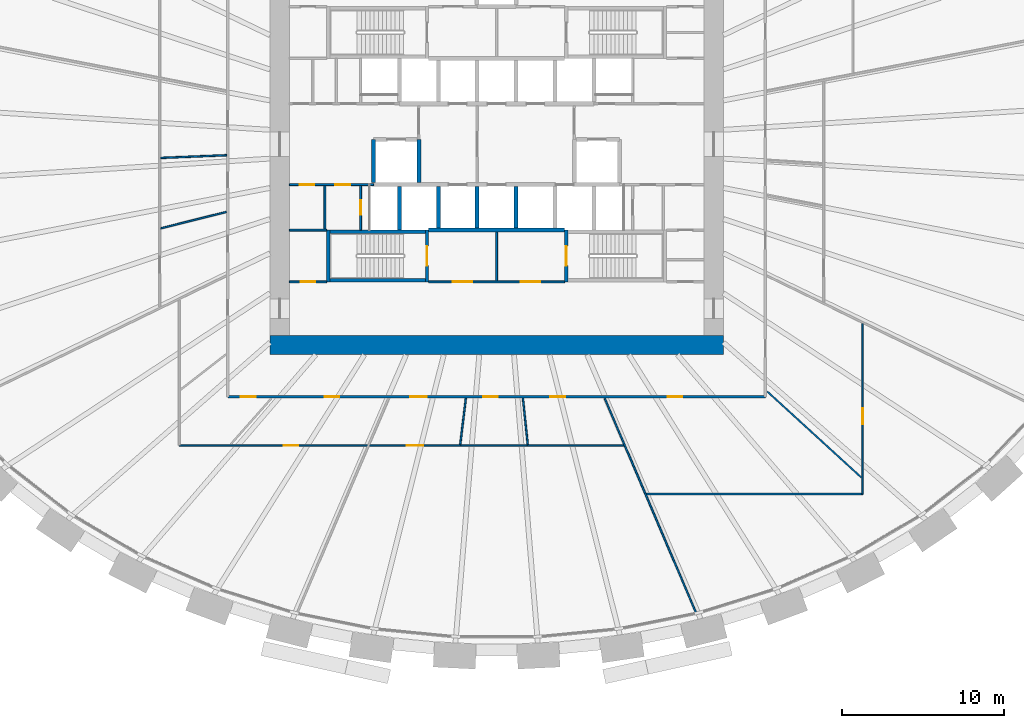
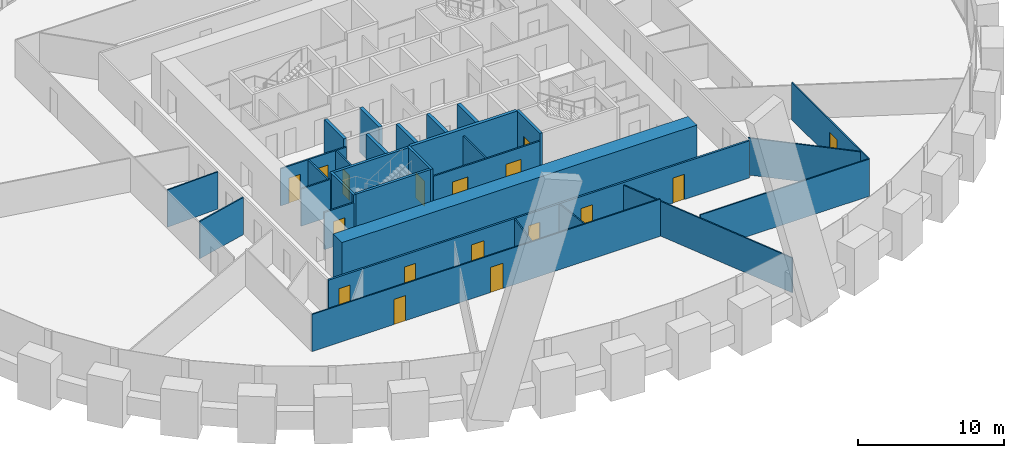
# One storey, part 6 of 11: 30 walls, 17 doors, 17 openings.
"""IFC4 building model written with IfcOpenShell, lengths in metres."""

from ifc_helpers import new_model, si_unit, direction, frame, frame_2d, origin, place, context, subcontext, project, spatial, rectangle, extrude, source, transform, mapped, material, layer, layer_set, type_object, element, fill, save


model = new_model("IFC4")

# Units and contexts
model_context = context("Model", 3, precision=1e-05, world=origin(), true_north=direction((0.0, 1.0)))
body_context = subcontext(model_context, "Body", "Model", "MODEL_VIEW")
ifc_project = project(units=[si_unit("LENGTHUNIT", "METRE"), si_unit("AREAUNIT", "SQUARE_METRE"), si_unit("VOLUMEUNIT", "CUBIC_METRE"), si_unit("PLANEANGLEUNIT", "RADIAN"), si_unit("MASSUNIT", "GRAM", prefix="KILO")], contexts=[model_context])

# Site, building, storey
site_placement = place(None, origin())
site = spatial("IfcSite", under=ifc_project, at=site_placement, CompositionType="ELEMENT")
building_placement = place(site_placement, origin())
building = spatial("IfcBuilding", under=site, at=building_placement, Name="Embergate Tower", CompositionType="ELEMENT")
storey_placement = place(building_placement, frame((0.0, 0.0, 73.699951171875)))
storey = spatial("IfcBuildingStorey", under=building, at=storey_placement, Name="L14", CompositionType="ELEMENT", Elevation=73.699951171875)

# Walls
ifc_material_1 = material(Name="Concrete C80", Category="concrete")
ifc_layer_1 = layer(ifc_material_1, 1.199951171875)
ifc_layer_set_1 = layer_set([ifc_layer_1], Name="Concrete C80")
wall_type_1 = type_object("IfcWallType", Name="Core outer wall C80 1200", PredefinedType="SHEAR", material=ifc_layer_set_1)
shared_shape_1 = source(origin(), body_context, "Body", "SweptSolid", [
    extrude(rectangle(XDim=28.0, YDim=1.199951171875, at=frame_2d((14.0, 0.0))), origin(), (0.0, 0.0, 1.0), 3.89990234375),
])
wall_1_placement = place(storey_placement, frame((-14.0, -12.39990234375, -0.199951171875), z_axis=(0.0, 0.0, 1.0), x_axis=(1.0, 0.0, 0.0)))
element("IfcWall", 1, at=wall_1_placement, inside=storey, type_object=wall_type_1, Name="CW-L14-S", PredefinedType="SHEAR", context=body_context, shape_type="MappedRepresentation", body=[
    mapped(shared_shape_1, transform((0.0, 0.0, 0.0))),
])
ifc_material_2 = material(Name="Concrete C50", Category="concrete")
ifc_layer_2 = layer(ifc_material_2, 0.25)
ifc_layer_set_2 = layer_set([ifc_layer_2], Name="Concrete C50")
wall_type_2 = type_object("IfcWallType", Name="Hoistway wall reinforced concrete 250", PredefinedType="SHEAR", material=ifc_layer_set_2)
shared_shape_2 = source(origin(), body_context, "Body", "SweptSolid", [
    extrude(rectangle(XDim=2.675048828125, YDim=0.25, at=frame_2d((1.33740234375, 0.0))), origin(), (0.0, 0.0, 1.0), 3.699951171875),
])
for number, where, z_axis, x_axis, name in (
    (2, (-6.0, -5.300048828125, 0.0), (0.0, 0.0, 1.0), (0.0, 1.0, 0.0), "HW-1 wall"),
    (3, (-4.800048828125, 0.300048828125, 0.0), (0.0, 0.0, 1.0), (0.0, -1.0, 0.0), "HW-1 wall"),
    (4, (-7.60009765625, 0.300048828125, 0.0), (0.0, 0.0, 1.0), (0.0, -1.0, 0.0), "HW-1 wall"),
):
    element("IfcWall", number, at=place(storey_placement, frame(where, z_axis=z_axis, x_axis=x_axis)), inside=storey, type_object=wall_type_2, Name=name, PredefinedType="SHEAR", context=body_context, shape_type="MappedRepresentation", body=[
        mapped(shared_shape_2, transform((0.0, 0.0, 0.0))),
    ])
ifc_layer_3 = layer(ifc_material_2, 0.199951171875)
ifc_layer_set_3 = layer_set([ifc_layer_3], Name="Concrete C50")
wall_type_3 = type_object("IfcWallType", Name="Stair enclosure wall reinforced concrete 250", PredefinedType="SHEAR", material=ifc_layer_set_3)
shared_shape_3 = source(origin(), body_context, "Body", "SweptSolid", [
    extrude(rectangle(XDim=6.300048828125, YDim=0.199951171875, at=frame_2d((3.14990234375, 0.0))), origin(), (0.0, 0.0, 1.0), 3.699951171875),
])
for number, where, z_axis, x_axis, name in (
    (5, (-10.5, -5.39990234375, 0.0), (0.0, 0.0, 1.0), (1.0, 0.0, 0.0), "SE-1 wall"),
    (6, (-10.5, -8.39990234375, 0.0), (0.0, 0.0, 1.0), (1.0, 0.0, 0.0), "SE-1 wall"),
):
    element("IfcWall", number, at=place(storey_placement, frame(where, z_axis=z_axis, x_axis=x_axis)), inside=storey, type_object=wall_type_3, Name=name, PredefinedType="SHEAR", context=body_context, shape_type="MappedRepresentation", body=[
        mapped(shared_shape_3, transform((0.0, 0.0, 0.0))),
    ])

# Wall, opening, door
ifc_material_3 = material(Name="Core partition blockwork 120")
ifc_layer_4 = layer(ifc_material_3, 0.1201171875)
ifc_layer_set_4 = layer_set([ifc_layer_4], Name="Core partition blockwork 120")
wall_type_4 = type_object("IfcWallType", Name="Core partition blockwork 120", PredefinedType="PARTITIONING", material=ifc_layer_set_4)
shared_shape_4 = source(origin(), body_context, "Body", "SweptSolid", [
    extrude(rectangle(XDim=2.739990234375, YDim=0.1201171875, at=frame_2d((1.3701171875, 0.0))), origin(), (0.0, 0.0, 1.0), 3.10009765625),
])
wall_2_placement = place(storey_placement, frame((-8.39990234375, -2.56005859375, 0.0), z_axis=(0.0, 0.0, 1.0), x_axis=(0.0, -1.0, 0.0)))
wall_2 = element("IfcWall", 7, at=wall_2_placement, inside=storey, type_object=wall_type_4, Name="IP-3 wall", PredefinedType="PARTITIONING", context=body_context, shape_type="MappedRepresentation", body=[
    mapped(shared_shape_4, transform((0.0, 0.0, 0.0))),
])
shared_shape_5 = source(origin(), body_context, "Body", "SweptSolid", [
    extrude(rectangle(XDim=0.89990234375, YDim=2.10009765625, at=frame_2d((0.449951171875, 1.050048828125))), frame((0.0, 0.070068359375, 0.0), z_axis=(0.0, -1.0, 0.0), x_axis=(1.0, 0.0, 0.0)), (0.0, 0.0, 1.0), 0.14013671875),
])
opening_1_placement = place(wall_2_placement, frame((0.889892578125, 0.0, 0.0)))
opening_1 = element("IfcOpeningElement", 8, at=opening_1_placement, cuts=wall_2, Name="Opening ID-1", PredefinedType="OPENING", context=body_context, shape_type="MappedRepresentation", body=[
    mapped(shared_shape_5, transform((0.0, 0.0, 0.0))),
])
ifc_material_4 = material(Name="Interior door 900")
door_type_1 = type_object("IfcDoorType", Name="Interior door 900", OperationType="SINGLE_SWING_LEFT", PredefinedType="DOOR", material=ifc_material_4)
shared_shape_6 = source(origin(), body_context, "Body", "SweptSolid", [
    extrude(rectangle(XDim=0.89990234375, YDim=2.10009765625, at=frame_2d((0.449951171875, 1.050048828125))), frame((0.0, 0.02490234375, 0.0), z_axis=(0.0, -1.0, 0.0), x_axis=(1.0, 0.0, 0.0)), (0.0, 0.0, 1.0), 0.050048828125),
])
door_1_placement = place(opening_1_placement, origin())
door_1 = element("IfcDoor", 9, at=door_1_placement, inside=storey, type_object=door_type_1, Name="ID-1 door", OperationType="SINGLE_SWING_LEFT", OverallHeight=2.10009765625, OverallWidth=0.89990234375, PredefinedType="DOOR", context=body_context, shape_type="MappedRepresentation", body=[
    mapped(shared_shape_6, transform((0.0, 0.0, 0.0))),
])
fill(opening_1, door_1)

# Walls
shared_shape_7 = source(origin(), body_context, "Body", "SweptSolid", [
    extrude(rectangle(XDim=2.550048828125, YDim=0.25, at=frame_2d((1.27490234375, 0.0))), origin(), (0.0, 0.0, 1.0), 3.699951171875),
])
for number, where, z_axis, x_axis, name in (
    (10, (-3.60009765625, -5.175048828125, 0.0), (0.0, 0.0, 1.0), (0.0, 1.0, 0.0), "HW-1 wall"),
    (11, (-1.199951171875, -5.175048828125, 0.0), (0.0, 0.0, 1.0), (0.0, 1.0, 0.0), "HW-1 wall"),
    (12, (1.199951171875, -5.175048828125, 0.0), (0.0, 0.0, 1.0), (0.0, 1.0, 0.0), "HW-1 wall"),
):
    element("IfcWall", number, at=place(storey_placement, frame(where, z_axis=z_axis, x_axis=x_axis)), inside=storey, type_object=wall_type_2, Name=name, PredefinedType="SHEAR", context=body_context, shape_type="MappedRepresentation", body=[
        mapped(shared_shape_7, transform((0.0, 0.0, 0.0))),
    ])
shared_shape_8 = source(origin(), body_context, "Body", "SweptSolid", [
    extrude(rectangle(XDim=8.39990234375, YDim=0.25, at=frame_2d((4.199951171875, 0.0))), origin(), (0.0, 0.0, 1.0), 3.699951171875),
])
wall_3_placement = place(storey_placement, frame((-4.199951171875, -5.300048828125, 0.0), z_axis=(0.0, 0.0, 1.0), x_axis=(1.0, 0.0, 0.0)))
element("IfcWall", 13, at=wall_3_placement, inside=storey, type_object=wall_type_2, Name="HW-1 wall", PredefinedType="SHEAR", context=body_context, shape_type="MappedRepresentation", body=[
    mapped(shared_shape_8, transform((0.0, 0.0, 0.0))),
])

# Wall, openings, doors
shared_shape_9 = source(origin(), body_context, "Body", "SweptSolid", [
    extrude(rectangle(XDim=5.199951171875, YDim=0.1201171875, at=frame_2d((2.60009765625, 0.0))), origin(), (0.0, 0.0, 1.0), 3.10009765625),
])
wall_4_placement = place(storey_placement, frame((-7.60009765625, -2.5, 0.0), z_axis=(0.0, 0.0, 1.0), x_axis=(-1.0, 0.0, 0.0)))
wall_4 = element("IfcWall", 14, at=wall_4_placement, inside=storey, type_object=wall_type_4, Name="IP-3 wall", PredefinedType="PARTITIONING", context=body_context, shape_type="MappedRepresentation", body=[
    mapped(shared_shape_9, transform((0.0, 0.0, 0.0))),
])
opening_2_placement = place(wall_4_placement, frame((3.64990234375, 0.0, 0.0)))
opening_2 = element("IfcOpeningElement", 15, at=opening_2_placement, cuts=wall_4, Name="Opening ID-1", PredefinedType="OPENING", context=body_context, shape_type="MappedRepresentation", body=[
    mapped(shared_shape_5, transform((0.0, 0.0, 0.0))),
])
opening_3_placement = place(wall_4_placement, frame((1.449951171875, 0.0, 0.0)))
opening_3 = element("IfcOpeningElement", 16, at=opening_3_placement, cuts=wall_4, Name="Opening ID-1", PredefinedType="OPENING", context=body_context, shape_type="MappedRepresentation", body=[
    mapped(shared_shape_5, transform((0.0, 0.0, 0.0))),
])
door_2_placement = place(opening_2_placement, origin())
door_2 = element("IfcDoor", 17, at=door_2_placement, inside=storey, type_object=door_type_1, Name="ID-1 door", OperationType="SINGLE_SWING_LEFT", OverallHeight=2.10009765625, OverallWidth=0.89990234375, PredefinedType="DOOR", context=body_context, shape_type="MappedRepresentation", body=[
    mapped(shared_shape_6, transform((0.0, 0.0, 0.0))),
])
fill(opening_2, door_2)
door_3_placement = place(opening_3_placement, origin())
door_3 = element("IfcDoor", 18, at=door_3_placement, inside=storey, type_object=door_type_1, Name="ID-1 door", OperationType="SINGLE_SWING_LEFT", OverallHeight=2.10009765625, OverallWidth=0.89990234375, PredefinedType="DOOR", context=body_context, shape_type="MappedRepresentation", body=[
    mapped(shared_shape_6, transform((0.0, 0.0, 0.0))),
])
fill(opening_3, door_3)

# Wall, opening, door
shared_shape_10 = source(origin(), body_context, "Body", "SweptSolid", [
    extrude(rectangle(XDim=3.199951171875, YDim=0.199951171875, at=frame_2d((1.60009765625, 0.0))), origin(), (0.0, 0.0, 1.0), 3.699951171875),
])
wall_5_placement = place(storey_placement, frame((-4.300048828125, -8.5, 0.0), z_axis=(0.0, 0.0, 1.0), x_axis=(0.0, 1.0, 0.0)))
wall_5 = element("IfcWall", 19, at=wall_5_placement, inside=storey, type_object=wall_type_3, Name="SE-1 wall", PredefinedType="SHEAR", context=body_context, shape_type="MappedRepresentation", body=[
    mapped(shared_shape_10, transform((0.0, 0.0, 0.0))),
])
shared_shape_11 = source(origin(), body_context, "Body", "SweptSolid", [
    extrude(rectangle(XDim=1.199951171875, YDim=2.10009765625, at=frame_2d((0.60009765625, 1.050048828125))), frame((0.0, 0.10986328125, 0.0), z_axis=(0.0, -1.0, 0.0), x_axis=(1.0, 0.0, 0.0)), (0.0, 0.0, 1.0), 0.219970703125),
])
opening_4_placement = place(wall_5_placement, frame((1.0, 0.0, 0.0)))
opening_4 = element("IfcOpeningElement", 20, at=opening_4_placement, cuts=wall_5, Name="Opening IF-2", PredefinedType="OPENING", context=body_context, shape_type="MappedRepresentation", body=[
    mapped(shared_shape_11, transform((0.0, 0.0, 0.0))),
])
ifc_material_5 = material(Name="Stair enclosure door 1200")
door_type_2 = type_object("IfcDoorType", Name="Stair enclosure door 1200", OperationType="SINGLE_SWING_LEFT", PredefinedType="DOOR", material=ifc_material_5)
shared_shape_12 = source(origin(), body_context, "Body", "SweptSolid", [
    extrude(rectangle(XDim=1.199951171875, YDim=2.10009765625, at=frame_2d((0.60009765625, 1.050048828125))), frame((0.0, 0.02490234375, 0.0), z_axis=(0.0, -1.0, 0.0), x_axis=(1.0, 0.0, 0.0)), (0.0, 0.0, 1.0), 0.050048828125),
])
door_4_placement = place(opening_4_placement, origin())
door_4 = element("IfcDoor", 21, at=door_4_placement, inside=storey, type_object=door_type_2, Name="IF-2 door", OperationType="SINGLE_SWING_LEFT", OverallHeight=2.10009765625, OverallWidth=1.199951171875, PredefinedType="DOOR", context=body_context, shape_type="MappedRepresentation", body=[
    mapped(shared_shape_12, transform((0.0, 0.0, 0.0))),
])
fill(opening_4, door_4)

# Wall
wall_6_placement = place(storey_placement, frame((-10.39990234375, -5.300048828125, 0.0), z_axis=(0.0, 0.0, 1.0), x_axis=(0.0, -1.0, 0.0)))
element("IfcWall", 22, at=wall_6_placement, inside=storey, type_object=wall_type_3, Name="SE-1 wall", PredefinedType="SHEAR", context=body_context, shape_type="MappedRepresentation", body=[
    mapped(shared_shape_10, transform((0.0, 0.0, 0.0))),
])

# Wall, opening, door
wall_7_placement = place(storey_placement, frame((4.300048828125, -5.300048828125, 0.0), z_axis=(0.0, 0.0, 1.0), x_axis=(0.0, -1.0, 0.0)))
wall_7 = element("IfcWall", 23, at=wall_7_placement, inside=storey, type_object=wall_type_3, Name="SE-1 wall", PredefinedType="SHEAR", context=body_context, shape_type="MappedRepresentation", body=[
    mapped(shared_shape_10, transform((0.0, 0.0, 0.0))),
])
opening_5_placement = place(wall_7_placement, frame((1.0, 0.0, 0.0)))
opening_5 = element("IfcOpeningElement", 24, at=opening_5_placement, cuts=wall_7, Name="Opening IF-2", PredefinedType="OPENING", context=body_context, shape_type="MappedRepresentation", body=[
    mapped(shared_shape_11, transform((0.0, 0.0, 0.0))),
])
door_5_placement = place(opening_5_placement, origin())
door_5 = element("IfcDoor", 25, at=door_5_placement, inside=storey, type_object=door_type_2, Name="IF-2 door", OperationType="SINGLE_SWING_RIGHT", OverallHeight=2.10009765625, OverallWidth=1.199951171875, PredefinedType="DOOR", context=body_context, shape_type="MappedRepresentation", body=[
    mapped(shared_shape_12, transform((0.0, 0.0, 0.0))),
])
fill(opening_5, door_5)

# Wall
shared_shape_13 = source(origin(), body_context, "Body", "SweptSolid", [
    extrude(rectangle(XDim=3.014892578125, YDim=0.1201171875, at=frame_2d((1.50732421875, 0.0))), origin(), (0.0, 0.0, 1.0), 3.10009765625),
])
wall_8_placement = place(storey_placement, frame((0.0, -8.43994140625, 0.0), z_axis=(0.0, 0.0, 1.0), x_axis=(0.0, 1.0, 0.0)))
element("IfcWall", 26, at=wall_8_placement, inside=storey, type_object=wall_type_4, Name="IP-3 wall", PredefinedType="PARTITIONING", context=body_context, shape_type="MappedRepresentation", body=[
    mapped(shared_shape_13, transform((0.0, 0.0, 0.0))),
])

# Wall, openings, doors
shared_shape_14 = source(origin(), body_context, "Body", "SweptSolid", [
    extrude(rectangle(XDim=8.39990234375, YDim=0.1201171875, at=frame_2d((4.199951171875, 0.0))), origin(), (0.0, 0.0, 1.0), 3.10009765625),
])
wall_9_placement = place(storey_placement, frame((-4.199951171875, -8.5, 0.0), z_axis=(0.0, 0.0, 1.0), x_axis=(1.0, 0.0, 0.0)))
wall_9 = element("IfcWall", 27, at=wall_9_placement, inside=storey, type_object=wall_type_4, Name="IP-3 wall", PredefinedType="PARTITIONING", context=body_context, shape_type="MappedRepresentation", body=[
    mapped(shared_shape_14, transform((0.0, 0.0, 0.0))),
])
shared_shape_15 = source(origin(), body_context, "Body", "SweptSolid", [
    extrude(rectangle(XDim=1.199951171875, YDim=2.10009765625, at=frame_2d((0.60009765625, 1.050048828125))), frame((0.0, 0.070068359375, 0.0), z_axis=(0.0, -1.0, 0.0), x_axis=(1.0, 0.0, 0.0)), (0.0, 0.0, 1.0), 0.14013671875),
])
opening_6_placement = place(wall_9_placement, frame((1.5, 0.0, 0.0)))
opening_6 = element("IfcOpeningElement", 28, at=opening_6_placement, cuts=wall_9, Name="Opening IF-3f", PredefinedType="OPENING", context=body_context, shape_type="MappedRepresentation", body=[
    mapped(shared_shape_15, transform((0.0, 0.0, 0.0))),
])
opening_7_placement = place(wall_9_placement, frame((5.699951171875, 0.0, 0.0)))
opening_7 = element("IfcOpeningElement", 29, at=opening_7_placement, cuts=wall_9, Name="Opening IF-3f", PredefinedType="OPENING", context=body_context, shape_type="MappedRepresentation", body=[
    mapped(shared_shape_15, transform((0.0, 0.0, 0.0))),
])
ifc_material_6 = material(Name="Lobby fire door pair 1200")
door_type_3 = type_object("IfcDoorType", Name="Lobby fire door pair 1200", OperationType="DOUBLE_DOOR_SINGLE_SWING", PredefinedType="DOOR", material=ifc_material_6)
door_6_placement = place(opening_6_placement, origin())
door_6 = element("IfcDoor", 30, at=door_6_placement, inside=storey, type_object=door_type_3, Name="IF-3 door", OperationType="DOUBLE_DOOR_SINGLE_SWING", OverallHeight=2.10009765625, OverallWidth=1.199951171875, PredefinedType="DOOR", context=body_context, shape_type="MappedRepresentation", body=[
    mapped(shared_shape_12, transform((0.0, 0.0, 0.0))),
])
fill(opening_6, door_6)
door_7_placement = place(opening_7_placement, origin())
door_7 = element("IfcDoor", 31, at=door_7_placement, inside=storey, type_object=door_type_3, Name="IF-3 door", OperationType="DOUBLE_DOOR_SINGLE_SWING", OverallHeight=2.10009765625, OverallWidth=1.199951171875, PredefinedType="DOOR", context=body_context, shape_type="MappedRepresentation", body=[
    mapped(shared_shape_12, transform((0.0, 0.0, 0.0))),
])
fill(opening_7, door_7)

# Wall, opening, door
shared_shape_16 = source(origin(), body_context, "Body", "SweptSolid", [
    extrude(rectangle(XDim=2.300048828125, YDim=0.1201171875, at=frame_2d((1.14990234375, 0.0))), origin(), (0.0, 0.0, 1.0), 3.10009765625),
])
wall_10_placement = place(storey_placement, frame((-10.5, -8.5, 0.0), z_axis=(0.0, 0.0, 1.0), x_axis=(-1.0, 0.0, 0.0)))
wall_10 = element("IfcWall", 32, at=wall_10_placement, inside=storey, type_object=wall_type_4, Name="IP-3 wall", PredefinedType="PARTITIONING", context=body_context, shape_type="MappedRepresentation", body=[
    mapped(shared_shape_16, transform((0.0, 0.0, 0.0))),
])
opening_8_placement = place(wall_10_placement, frame((0.699951171875, 0.0, 0.0)))
opening_8 = element("IfcOpeningElement", 33, at=opening_8_placement, cuts=wall_10, Name="Opening ID-1", PredefinedType="OPENING", context=body_context, shape_type="MappedRepresentation", body=[
    mapped(shared_shape_5, transform((0.0, 0.0, 0.0))),
])
door_8_placement = place(opening_8_placement, origin())
door_8 = element("IfcDoor", 34, at=door_8_placement, inside=storey, type_object=door_type_1, Name="ID-1 door", OperationType="SINGLE_SWING_RIGHT", OverallHeight=2.10009765625, OverallWidth=0.89990234375, PredefinedType="DOOR", context=body_context, shape_type="MappedRepresentation", body=[
    mapped(shared_shape_6, transform((0.0, 0.0, 0.0))),
])
fill(opening_8, door_8)

# Walls
wall_11_placement = place(storey_placement, frame((-12.800048828125, -5.300048828125, 0.0), z_axis=(0.0, 0.0, 1.0), x_axis=(1.0, 0.0, 0.0)))
element("IfcWall", 35, at=wall_11_placement, inside=storey, type_object=wall_type_4, Name="IP-3 wall", PredefinedType="PARTITIONING", context=body_context, shape_type="MappedRepresentation", body=[
    mapped(shared_shape_16, transform((0.0, 0.0, 0.0))),
])
shared_shape_17 = source(origin(), body_context, "Body", "SweptSolid", [
    extrude(rectangle(XDim=2.679931640625, YDim=0.1201171875, at=frame_2d((1.33984375, 0.0))), origin(), (0.0, 0.0, 1.0), 3.10009765625),
])
wall_12_placement = place(storey_placement, frame((-10.60009765625, -5.239990234375, 0.0), z_axis=(0.0, 0.0, 1.0), x_axis=(0.0, 1.0, 0.0)))
element("IfcWall", 36, at=wall_12_placement, inside=storey, type_object=wall_type_4, Name="IP-3 wall", PredefinedType="PARTITIONING", context=body_context, shape_type="MappedRepresentation", body=[
    mapped(shared_shape_17, transform((0.0, 0.0, 0.0))),
])

# Wall, openings, doors
ifc_material_7 = material(Name="Corridor wall dry-lined 150 wet")
ifc_layer_5 = layer(ifc_material_7, 0.14990234375)
ifc_layer_set_5 = layer_set([ifc_layer_5], Name="Corridor wall dry-lined 150 wet")
wall_type_5 = type_object("IfcWallType", Name="Corridor wall dry-lined 150 wet", PredefinedType="PLUMBINGWALL", material=ifc_layer_set_5)
shared_shape_18 = source(origin(), body_context, "Body", "SweptSolid", [
    extrude(rectangle(XDim=33.2001953125, YDim=0.14990234375, at=frame_2d((16.60009765625, 0.0))), origin(), (0.0, 0.0, 1.0), 3.10009765625),
])
wall_13_placement = place(storey_placement, frame((16.60009765625, -15.60009765625, 0.0), z_axis=(0.0, 0.0, 1.0), x_axis=(-1.0, 0.0, 0.0)))
wall_13 = element("IfcWall", 37, at=wall_13_placement, inside=storey, type_object=wall_type_5, Name="IP-2 wall", PredefinedType="PLUMBINGWALL", context=body_context, shape_type="MappedRepresentation", body=[
    mapped(shared_shape_18, transform((0.0, 0.0, 0.0))),
])
shared_shape_19 = source(origin(), body_context, "Body", "SweptSolid", [
    extrude(rectangle(XDim=0.89990234375, YDim=2.10009765625, at=frame_2d((0.449951171875, 1.050048828125))), frame((0.0, 0.0849609375, 0.0), z_axis=(0.0, -1.0, 0.0), x_axis=(1.0, 0.0, 0.0)), (0.0, 0.0, 1.0), 0.169921875),
])
opening_9_placement = place(wall_13_placement, frame((31.489990234375, 0.0, 0.0)))
opening_9 = element("IfcOpeningElement", 38, at=opening_9_placement, cuts=wall_13, Name="Opening IF-1c", PredefinedType="OPENING", context=body_context, shape_type="MappedRepresentation", body=[
    mapped(shared_shape_19, transform((0.0, 0.0, 0.0))),
])
opening_10_placement = place(wall_13_placement, frame((26.323974609375, 0.0, 0.0)))
opening_10 = element("IfcOpeningElement", 39, at=opening_10_placement, cuts=wall_13, Name="Opening IF-1c", PredefinedType="OPENING", context=body_context, shape_type="MappedRepresentation", body=[
    mapped(shared_shape_19, transform((0.0, 0.0, 0.0))),
])
shared_shape_20 = source(origin(), body_context, "Body", "SweptSolid", [
    extrude(rectangle(XDim=1.0, YDim=2.10009765625, at=frame_2d((0.5, 1.050048828125))), frame((0.0, 0.0849609375, 0.0), z_axis=(0.0, -1.0, 0.0), x_axis=(1.0, 0.0, 0.0)), (0.0, 0.0, 1.0), 0.169921875),
])
opening_11_placement = place(wall_13_placement, frame((20.929931640625, 0.0, 0.0)))
opening_11 = element("IfcOpeningElement", 40, at=opening_11_placement, cuts=wall_13, Name="Opening ID-2", PredefinedType="OPENING", context=body_context, shape_type="MappedRepresentation", body=[
    mapped(shared_shape_20, transform((0.0, 0.0, 0.0))),
])
opening_12_placement = place(wall_13_placement, frame((16.528076171875, 0.0, 0.0)))
opening_12 = element("IfcOpeningElement", 41, at=opening_12_placement, cuts=wall_13, Name="Opening IF-1c", PredefinedType="OPENING", context=body_context, shape_type="MappedRepresentation", body=[
    mapped(shared_shape_19, transform((0.0, 0.0, 0.0))),
])
opening_13_placement = place(wall_13_placement, frame((12.3759765625, 0.0, 0.0)))
opening_13 = element("IfcOpeningElement", 42, at=opening_13_placement, cuts=wall_13, Name="Opening IF-1c", PredefinedType="OPENING", context=body_context, shape_type="MappedRepresentation", body=[
    mapped(shared_shape_19, transform((0.0, 0.0, 0.0))),
])
opening_14_placement = place(wall_13_placement, frame((5.1240234375, 0.0, 0.0)))
opening_14 = element("IfcOpeningElement", 43, at=opening_14_placement, cuts=wall_13, Name="Opening IF-1c", PredefinedType="OPENING", context=body_context, shape_type="MappedRepresentation", body=[
    mapped(shared_shape_19, transform((0.0, 0.0, 0.0))),
])
ifc_material_8 = material(Name="Escape fire door 900")
door_type_4 = type_object("IfcDoorType", Name="Escape fire door 900", OperationType="SINGLE_SWING_LEFT", PredefinedType="DOOR", material=ifc_material_8)
door_9_placement = place(opening_9_placement, origin())
door_9 = element("IfcDoor", 44, at=door_9_placement, inside=storey, type_object=door_type_4, Name="IF-1 door", OperationType="SINGLE_SWING_LEFT", OverallHeight=2.10009765625, OverallWidth=0.89990234375, PredefinedType="DOOR", context=body_context, shape_type="MappedRepresentation", body=[
    mapped(shared_shape_6, transform((0.0, 0.0, 0.0))),
])
fill(opening_9, door_9)
door_10_placement = place(opening_10_placement, origin())
door_10 = element("IfcDoor", 45, at=door_10_placement, inside=storey, type_object=door_type_4, Name="IF-1 door", OperationType="SINGLE_SWING_RIGHT", OverallHeight=2.10009765625, OverallWidth=0.89990234375, PredefinedType="DOOR", context=body_context, shape_type="MappedRepresentation", body=[
    mapped(shared_shape_6, transform((0.0, 0.0, 0.0))),
])
fill(opening_10, door_10)
door_11_placement = place(opening_12_placement, origin())
door_11 = element("IfcDoor", 46, at=door_11_placement, inside=storey, type_object=door_type_4, Name="IF-1 door", OperationType="SINGLE_SWING_RIGHT", OverallHeight=2.10009765625, OverallWidth=0.89990234375, PredefinedType="DOOR", context=body_context, shape_type="MappedRepresentation", body=[
    mapped(shared_shape_6, transform((0.0, 0.0, 0.0))),
])
fill(opening_12, door_11)
door_12_placement = place(opening_13_placement, origin())
door_12 = element("IfcDoor", 47, at=door_12_placement, inside=storey, type_object=door_type_4, Name="IF-1 door", OperationType="SINGLE_SWING_LEFT", OverallHeight=2.10009765625, OverallWidth=0.89990234375, PredefinedType="DOOR", context=body_context, shape_type="MappedRepresentation", body=[
    mapped(shared_shape_6, transform((0.0, 0.0, 0.0))),
])
fill(opening_13, door_12)
door_13_placement = place(opening_14_placement, origin())
door_13 = element("IfcDoor", 48, at=door_13_placement, inside=storey, type_object=door_type_4, Name="IF-1 door", OperationType="SINGLE_SWING_LEFT", OverallHeight=2.10009765625, OverallWidth=0.89990234375, PredefinedType="DOOR", context=body_context, shape_type="MappedRepresentation", body=[
    mapped(shared_shape_6, transform((0.0, 0.0, 0.0))),
])
fill(opening_14, door_13)
ifc_material_9 = material(Name="Interior door 1000")
door_type_5 = type_object("IfcDoorType", Name="Interior door 1000", OperationType="SINGLE_SWING_LEFT", PredefinedType="DOOR", material=ifc_material_9)
shared_shape_21 = source(origin(), body_context, "Body", "SweptSolid", [
    extrude(rectangle(XDim=1.0, YDim=2.10009765625, at=frame_2d((0.5, 1.050048828125))), frame((0.0, 0.02490234375, 0.0), z_axis=(0.0, -1.0, 0.0), x_axis=(1.0, 0.0, 0.0)), (0.0, 0.0, 1.0), 0.050048828125),
])
door_14_placement = place(opening_11_placement, origin())
door_14 = element("IfcDoor", 49, at=door_14_placement, inside=storey, type_object=door_type_5, Name="ID-2 door", OperationType="SINGLE_SWING_RIGHT", OverallHeight=2.10009765625, OverallWidth=1.0, PredefinedType="DOOR", context=body_context, shape_type="MappedRepresentation", body=[
    mapped(shared_shape_21, transform((0.0, 0.0, 0.0))),
])
fill(opening_11, door_14)

ifc_material_10 = material(Name="Partition dry-lined 100 wet")
ifc_layer_6 = layer(ifc_material_10, 0.10009765625)
ifc_layer_set_6 = layer_set([ifc_layer_6], Name="Partition dry-lined 100 wet")
wall_type_6 = type_object("IfcWallType", Name="Partition dry-lined 100 wet", PredefinedType="PLUMBINGWALL", material=ifc_layer_set_6)
shared_shape_22 = source(origin(), body_context, "Body", "SweptSolid", [
    extrude(rectangle(XDim=27.43798828125, YDim=0.10009765625, at=frame_2d((13.718994140625, 0.0))), origin(), (0.0, 0.0, 1.0), 3.10009765625),
])
wall_14_placement = place(storey_placement, frame((7.837890625, -18.60009765625, 0.0), z_axis=(0.0, 0.0, 1.0), x_axis=(-1.0, 0.0, 0.0)))
wall_14 = element("IfcWall", 50, at=wall_14_placement, inside=storey, type_object=wall_type_6, Name="IP-1 wall", PredefinedType="PLUMBINGWALL", context=body_context, shape_type="MappedRepresentation", body=[
    mapped(shared_shape_22, transform((0.0, 0.0, 0.0))),
])
shared_shape_23 = source(origin(), body_context, "Body", "SweptSolid", [
    extrude(rectangle(XDim=0.89990234375, YDim=2.10009765625, at=frame_2d((0.449951171875, 1.050048828125))), frame((0.0, 0.06005859375, 0.0), z_axis=(0.0, -1.0, 0.0), x_axis=(1.0, 0.0, 0.0)), (0.0, 0.0, 1.0), 0.1201171875),
])
opening_15_placement = place(wall_14_placement, frame((20.0810546875, 0.0, 0.0)))
opening_15 = element("IfcOpeningElement", 51, at=opening_15_placement, cuts=wall_14, Name="Opening ID-1", PredefinedType="OPENING", context=body_context, shape_type="MappedRepresentation", body=[
    mapped(shared_shape_23, transform((0.0, 0.0, 0.0))),
])
shared_shape_24 = source(origin(), body_context, "Body", "SweptSolid", [
    extrude(rectangle(XDim=1.0, YDim=2.10009765625, at=frame_2d((0.5, 1.050048828125))), frame((0.0, 0.06005859375, 0.0), z_axis=(0.0, -1.0, 0.0), x_axis=(1.0, 0.0, 0.0)), (0.0, 0.0, 1.0), 0.1201171875),
])
opening_16_placement = place(wall_14_placement, frame((12.381103515625, 0.0, 0.0)))
opening_16 = element("IfcOpeningElement", 52, at=opening_16_placement, cuts=wall_14, Name="Opening ID-2", PredefinedType="OPENING", context=body_context, shape_type="MappedRepresentation", body=[
    mapped(shared_shape_24, transform((0.0, 0.0, 0.0))),
])
door_15_placement = place(opening_15_placement, origin())
door_15 = element("IfcDoor", 53, at=door_15_placement, inside=storey, type_object=door_type_1, Name="ID-1 door", OperationType="SINGLE_SWING_RIGHT", OverallHeight=2.10009765625, OverallWidth=0.89990234375, PredefinedType="DOOR", context=body_context, shape_type="MappedRepresentation", body=[
    mapped(shared_shape_6, transform((0.0, 0.0, 0.0))),
])
fill(opening_15, door_15)
door_16_placement = place(opening_16_placement, origin())
door_16 = element("IfcDoor", 54, at=door_16_placement, inside=storey, type_object=door_type_5, Name="ID-2 door", OperationType="SINGLE_SWING_LEFT", OverallHeight=2.10009765625, OverallWidth=1.0, PredefinedType="DOOR", context=body_context, shape_type="MappedRepresentation", body=[
    mapped(shared_shape_21, transform((0.0, 0.0, 0.0))),
])
fill(opening_16, door_16)

# Walls
ifc_material_11 = material(Name="Partition dry-lined 100")
ifc_layer_7 = layer(ifc_material_11, 0.10009765625)
ifc_layer_set_7 = layer_set([ifc_layer_7], Name="Partition dry-lined 100")
wall_type_7 = type_object("IfcWallType", Name="Partition dry-lined 100", PredefinedType="PARTITIONING", material=ifc_layer_set_7)
shared_shape_25 = source(origin(), body_context, "Body", "SweptSolid", [
    extrude(rectangle(XDim=14.41015625, YDim=0.10009765625, at=frame_2d((7.205078125, 0.0))), origin(), (0.0, 0.0, 1.0), 2.900146484375),
])
wall_15_placement = place(storey_placement, frame((6.677978515625, -15.695068359375, 0.0), z_axis=(0.0, 0.0, 1.0), x_axis=(0.391470314231, -0.920190737334, 0.0)))
element("IfcWall", 55, at=wall_15_placement, inside=storey, type_object=wall_type_7, Name="IP-1 wall", PredefinedType="PARTITIONING", context=body_context, shape_type="MappedRepresentation", body=[
    mapped(shared_shape_25, transform((0.0, 0.0, 0.0))),
])
shared_shape_26 = source(origin(), body_context, "Body", "SweptSolid", [
    extrude(rectangle(XDim=2.884033203125, YDim=0.10009765625, at=frame_2d((1.44189453125, 0.0))), origin(), (0.0, 0.0, 1.0), 3.10009765625),
])
wall_16_placement = place(storey_placement, frame((-1.89990234375, -15.680908203125, 0.0), z_axis=(0.0, 0.0, 1.0), x_axis=(-0.120376873285, -0.992728265125, 0.0)))
element("IfcWall", 56, at=wall_16_placement, inside=storey, type_object=wall_type_7, Name="IP-1 wall", PredefinedType="PARTITIONING", context=body_context, shape_type="MappedRepresentation", body=[
    mapped(shared_shape_26, transform((0.0, 0.0, 0.0))),
])
shared_shape_27 = source(origin(), body_context, "Body", "SweptSolid", [
    extrude(rectangle(XDim=2.88037109375, YDim=0.10009765625, at=frame_2d((1.440185546875, 0.0))), origin(), (0.0, 0.0, 1.0), 3.10009765625),
])
wall_17_placement = place(storey_placement, frame((1.6240234375, -15.679931640625, 0.0), z_axis=(0.0, 0.0, 1.0), x_axis=(0.10306976913, -0.994674128894, 0.0)))
element("IfcWall", 57, at=wall_17_placement, inside=storey, type_object=wall_type_7, Name="IP-1 wall", PredefinedType="PARTITIONING", context=body_context, shape_type="MappedRepresentation", body=[
    mapped(shared_shape_27, transform((0.0, 0.0, 0.0))),
])
shared_shape_28 = source(origin(), body_context, "Body", "SweptSolid", [
    extrude(rectangle(XDim=7.86669921875, YDim=0.10009765625, at=frame_2d((3.933349609375, 0.0))), origin(), (0.0, 0.0, 1.0), 3.10009765625),
])
wall_18_placement = place(storey_placement, frame((16.708984375, -15.26806640625, 0.0), z_axis=(0.0, 0.0, 1.0), x_axis=(0.738186434387, -0.674596759618, 0.0)))
element("IfcWall", 58, at=wall_18_placement, inside=storey, type_object=wall_type_7, Name="IP-1 wall", PredefinedType="PARTITIONING", context=body_context, shape_type="MappedRepresentation", body=[
    mapped(shared_shape_28, transform((0.0, 0.0, 0.0))),
])

# Wall, opening, door
shared_shape_29 = source(origin(), body_context, "Body", "SweptSolid", [
    extrude(rectangle(XDim=10.51708984375, YDim=0.10009765625, at=frame_2d((5.258544921875, 0.0))), origin(), (0.0, 0.0, 1.0), 3.10009765625),
])
wall_19_placement = place(storey_placement, frame((22.60009765625, -11.0830078125, 0.0), z_axis=(0.0, 0.0, 1.0), x_axis=(0.0, -1.0, 0.0)))
wall_19 = element("IfcWall", 59, at=wall_19_placement, inside=storey, type_object=wall_type_7, Name="IP-1 wall", PredefinedType="PARTITIONING", context=body_context, shape_type="MappedRepresentation", body=[
    mapped(shared_shape_29, transform((0.0, 0.0, 0.0))),
])
opening_17_placement = place(wall_19_placement, frame((5.210205078125, 0.0, 0.0)))
opening_17 = element("IfcOpeningElement", 60, at=opening_17_placement, cuts=wall_19, Name="Opening ID-2", PredefinedType="OPENING", context=body_context, shape_type="MappedRepresentation", body=[
    mapped(shared_shape_24, transform((0.0, 0.0, 0.0))),
])
door_17_placement = place(opening_17_placement, origin())
door_17 = element("IfcDoor", 61, at=door_17_placement, inside=storey, type_object=door_type_5, Name="ID-2 door", OperationType="SINGLE_SWING_RIGHT", OverallHeight=2.10009765625, OverallWidth=1.0, PredefinedType="DOOR", context=body_context, shape_type="MappedRepresentation", body=[
    mapped(shared_shape_21, transform((0.0, 0.0, 0.0))),
])
fill(opening_17, door_17)

# Walls
shared_shape_30 = source(origin(), body_context, "Body", "SweptSolid", [
    extrude(rectangle(XDim=13.333984375, YDim=0.10009765625, at=frame_2d((6.6669921875, 0.0))), origin(), (0.0, 0.0, 1.0), 3.10009765625),
])
wall_20_placement = place(storey_placement, frame((22.60009765625, -21.60009765625, 0.0), z_axis=(0.0, 0.0, 1.0), x_axis=(-1.0, 0.0, 0.0)))
element("IfcWall", 62, at=wall_20_placement, inside=storey, type_object=wall_type_7, Name="IP-1 wall", PredefinedType="PARTITIONING", context=body_context, shape_type="MappedRepresentation", body=[
    mapped(shared_shape_30, transform((0.0, 0.0, 0.0))),
])
shared_shape_31 = source(origin(), body_context, "Body", "SweptSolid", [
    extrude(rectangle(XDim=4.078369140625, YDim=0.10009765625, at=frame_2d((2.0390625, 0.0))), origin(), (0.0, 0.0, 1.0), 3.10009765625),
])
wall_21_placement = place(storey_placement, frame((-16.675048828125, -0.679931640625, 0.0), z_axis=(0.0, 0.0, 1.0), x_axis=(-0.99916136901, -0.040945801714, 0.0)))
element("IfcWall", 63, at=wall_21_placement, inside=storey, type_object=wall_type_7, Name="IP-1 wall", PredefinedType="PARTITIONING", context=body_context, shape_type="MappedRepresentation", body=[
    mapped(shared_shape_31, transform((0.0, 0.0, 0.0))),
])
shared_shape_32 = source(origin(), body_context, "Body", "SweptSolid", [
    extrude(rectangle(XDim=4.17626953125, YDim=0.10009765625, at=frame_2d((2.088134765625, 0.0))), origin(), (0.0, 0.0, 1.0), 3.10009765625),
])
wall_22_placement = place(storey_placement, frame((-16.68701171875, -4.180908203125, 0.0), z_axis=(0.0, 0.0, 1.0), x_axis=(-0.970008240275, -0.243072034175, 0.0)))
element("IfcWall", 64, at=wall_22_placement, inside=storey, type_object=wall_type_7, Name="IP-1 wall", PredefinedType="PARTITIONING", context=body_context, shape_type="MappedRepresentation", body=[
    mapped(shared_shape_32, transform((0.0, 0.0, 0.0))),
])

save(model, "model.ifc")
